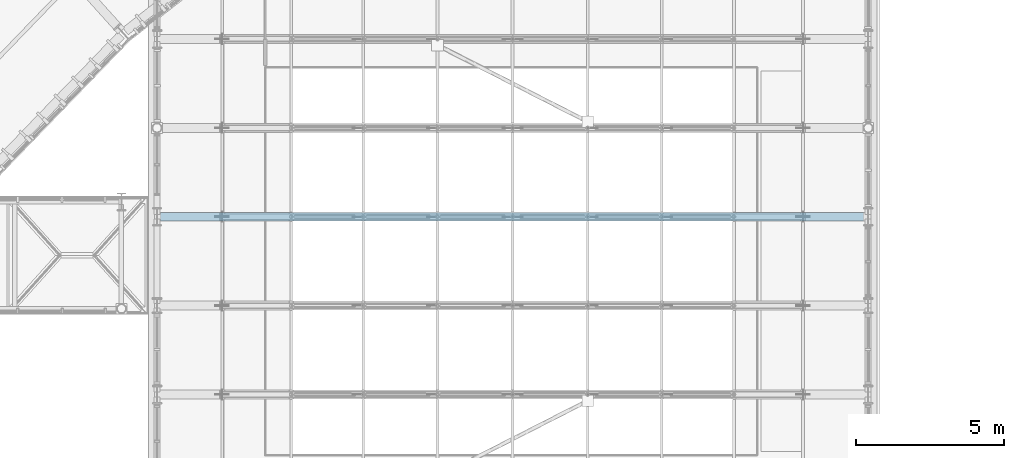
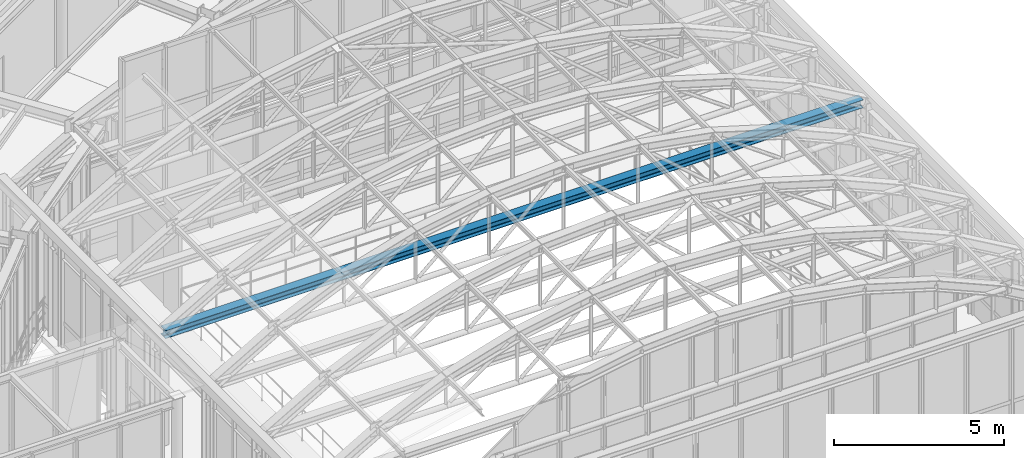
# One storey, part 65 of 148: 1 beam.
"""IFC4 building model written with IfcOpenShell, lengths in metres."""

from ifc_helpers import new_model, si_unit, direction, frame, origin, origin_2d, place, context, subcontext, project, spatial, i_section, extrude, material, material_profile, profile_set, type_object, element, save


model = new_model("IFC4")

# Units and contexts
model_context = context("Model", 3, precision=1e-05, world=origin(), true_north=direction((0.0, 1.0)))
body_context = subcontext(model_context, "Body", "Model", "MODEL_VIEW")
ifc_project = project(units=[si_unit("LENGTHUNIT", "METRE"), si_unit("AREAUNIT", "SQUARE_METRE"), si_unit("VOLUMEUNIT", "CUBIC_METRE"), si_unit("PLANEANGLEUNIT", "RADIAN"), si_unit("MASSUNIT", "GRAM", prefix="KILO"), si_unit("THERMODYNAMICTEMPERATUREUNIT", "KELVIN"), si_unit("POWERUNIT", "WATT")], contexts=[model_context])

# Site, building, storey
site_placement = place(None, origin())
site = spatial("IfcSite", under=ifc_project, at=site_placement, CompositionType="ELEMENT")
building_placement = place(site_placement, origin())
building = spatial("IfcBuilding", under=site, at=building_placement, Name="Solvatero Civic Police Headquarters", CompositionType="ELEMENT")
storey_placement = place(building_placement, frame((0.0, 0.0, 5.10009765625)))
storey = spatial("IfcBuildingStorey", under=building, at=storey_placement, Name="L01", CompositionType="ELEMENT", Elevation=5.10009765625)

# Beam
ifc_material = material(Name="Steel S355", Category="steel")
ifc_material_profile = material_profile(ifc_material, i_section(OverallWidth=0.300048828125, OverallDepth=0.2900390625, WebThickness=0.008544921875, FlangeThickness=0.013916015625, FilletRadius=0.027099609375, at=origin_2d()), Name="HEA 300")
ifc_profile_set = profile_set([ifc_material_profile], Name="Steel S355")
beam_type = type_object("IfcBeamType", Name="BM-ST-HEA300", PredefinedType="SPANDREL", material=ifc_profile_set)
beam_placement = place(storey_placement, frame((64.919921875, 53.5, 3.864013671875), z_axis=(1.0, 0.0, 0.0), x_axis=(0.0, 1.0, 0.0)))
element("IfcBeam", 1, at=beam_placement, inside=storey, type_object=beam_type, Name="VLT2 Barrel Vault Springing Tie Beam F5", PredefinedType="SPANDREL", context=body_context, shape_type="SweptSolid", body=[
    extrude(i_section(OverallWidth=0.300048828125, OverallDepth=0.2900390625, WebThickness=0.008544921875, FlangeThickness=0.013916015625, FilletRadius=0.027099609375, at=origin_2d()), origin(), (0.0, 0.0, 1.0), 23.719970703125),
])

save(model, "model.ifc")
